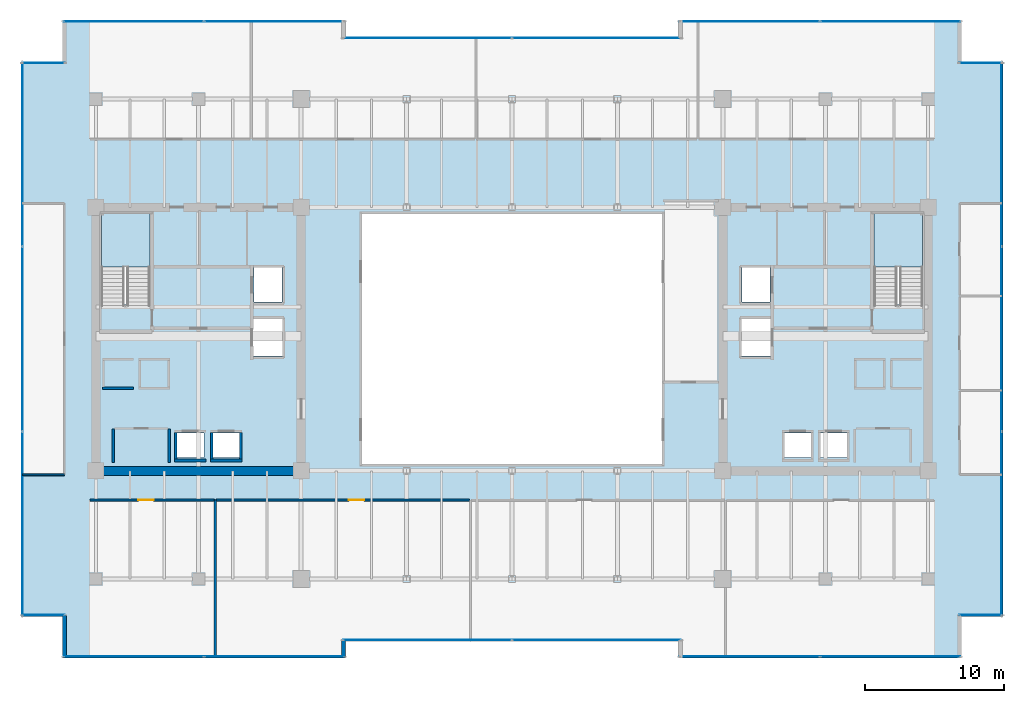
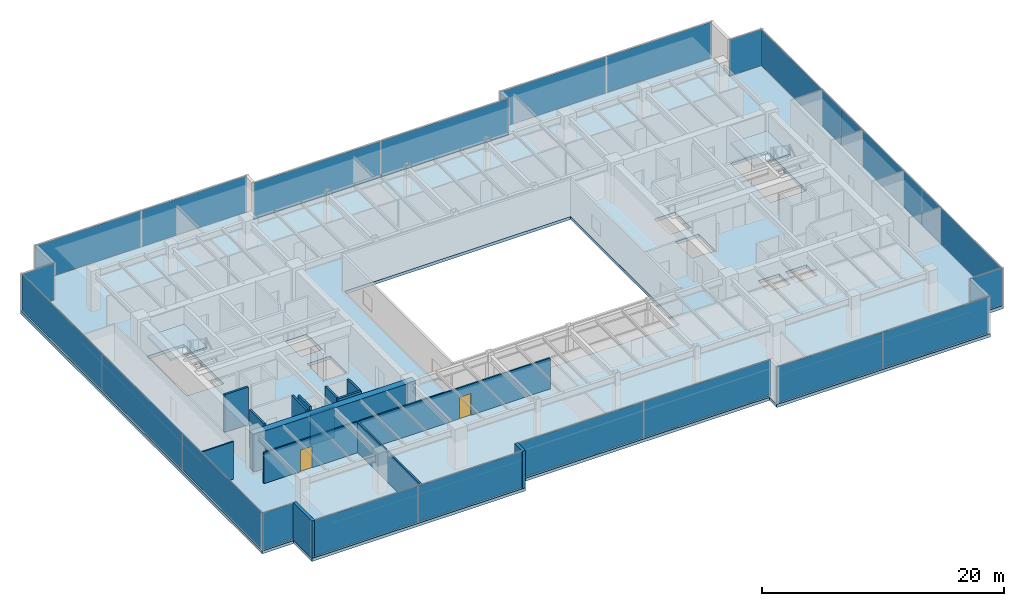
# One storey, part 24 of 33: 22 plates, 15 walls, 3 slabs, 2 doors, 2 openings, 14 elements without a shape of their own.
"""IFC4 building model written with IfcOpenShell, lengths in metres."""

from ifc_helpers import new_model, si_unit, direction, frame, frame_2d, origin, origin_2d, place, context, subcontext, project, spatial, polyline, rectangle, outline, extrude, source, transform, mapped, material, layer, layer_set, type_object, type_shapes, element, fill, aggregate, save


model = new_model("IFC4")

# Units and contexts
model_context = context("Model", 3, precision=1e-05, world=origin(), true_north=direction((0.0, 1.0)))
body_context = subcontext(model_context, "Body", "Model", "MODEL_VIEW")
ifc_project = project(units=[si_unit("LENGTHUNIT", "METRE"), si_unit("AREAUNIT", "SQUARE_METRE"), si_unit("VOLUMEUNIT", "CUBIC_METRE"), si_unit("PLANEANGLEUNIT", "RADIAN"), si_unit("MASSUNIT", "GRAM", prefix="KILO")], contexts=[model_context])

# Site, building, storey
site_placement = place(None, origin())
site = spatial("IfcSite", under=ifc_project, at=site_placement, CompositionType="ELEMENT")
building_placement = place(site_placement, origin())
building = spatial("IfcBuilding", under=site, at=building_placement, Name="Haelvirn Gate Laboratories", CompositionType="ELEMENT")
storey_placement = place(building_placement, frame((0.0, 0.0, 117.39990234375)))
storey = spatial("IfcBuildingStorey", under=building, at=storey_placement, Name="L28", CompositionType="ELEMENT", Elevation=117.39990234375)

# Stair, slab
ifc_material_1 = material(Name="Concrete C40/50", Category="concrete")
stair_type = type_object("IfcStairType", Name="ST-DOG-1650-R22", PredefinedType="HALF_TURN_STAIR", material=ifc_material_1)
stair_1_placement = place(storey_placement, origin())
stair_1 = element("IfcStair", 1, at=stair_1_placement, inside=storey, type_object=stair_type, Name="L28 Escape Stair ST1", PredefinedType="HALF_TURN_STAIR")
ifc_layer_1 = layer(ifc_material_1, 0.199951171875, Name="SL-STAIR-LND")
ifc_layer_set_1 = layer_set([ifc_layer_1], Name="Concrete C40/50")
slab_type_1 = type_object("IfcSlabType", Name="SL-STAIR-LND", PredefinedType="LANDING", material=ifc_layer_set_1)
slab_1_placement = place(storey_placement, frame((0.0, 0.0, 1.85009765625)))
slab_1 = element("IfcSlab", 2, at=slab_1_placement, type_object=slab_type_1, Name="ST1 landing 1", PredefinedType="LANDING", context=body_context, shape_type="SweptSolid", body=[
    extrude(outline(polyline([(11.300048828125, 29.5), (11.300048828125, 33.35009765625), (7.800048828125, 33.35009765625), (7.800048828125, 29.5), (11.300048828125, 29.5)])), origin(), (0.0, 0.0, 1.0), 0.199951171875),
])
aggregate(stair_1, [slab_1])

stair_2_placement = place(storey_placement, origin())
stair_2 = element("IfcStair", 3, at=stair_2_placement, inside=storey, type_object=stair_type, Name="L28 Escape Stair ST2", PredefinedType="HALF_TURN_STAIR")
slab_2_placement = place(storey_placement, frame((0.0, 0.0, 1.85009765625)))
slab_2 = element("IfcSlab", 4, at=slab_2_placement, type_object=slab_type_1, Name="ST2 landing 1", PredefinedType="LANDING", context=body_context, shape_type="SweptSolid", body=[
    extrude(outline(polyline([(67.0, 29.5), (67.0, 33.35009765625), (63.5, 33.35009765625), (63.5, 29.5), (67.0, 29.5)])), origin(), (0.0, 0.0, 1.0), 0.199951171875),
])
aggregate(stair_2, [slab_2])

# Slab
ifc_layer_2 = layer(ifc_material_1, 0.31005859375, Name="SL-Z2-310")
ifc_layer_set_2 = layer_set([ifc_layer_2], Name="Concrete C40/50")
slab_type_2 = type_object("IfcSlabType", Name="SL-Z2-310", PredefinedType="FLOOR", material=ifc_layer_set_2)
slab_3_placement = place(storey_placement, frame((0.0, 0.0, -0.309814453125)))
element("IfcSlab", 5, at=slab_3_placement, inside=storey, type_object=slab_type_2, Name="L28 Structural Slab MAIN", PredefinedType="FLOOR", context=body_context, shape_type="SweptSolid", body=[
    extrude(outline(polyline([(5.0, 1.300048828125), (25.39990234375, 1.300048828125), (25.39990234375, 2.5), (49.39990234375, 2.5), (49.39990234375, 1.300048828125), (69.800048828125, 1.300048828125), (69.800048828125, 4.300048828125), (72.800048828125, 4.300048828125), (72.800048828125, 44.300048828125), (69.800048828125, 44.300048828125), (69.800048828125, 47.300048828125), (49.39990234375, 47.300048828125), (49.39990234375, 46.10009765625), (25.39990234375, 46.10009765625), (25.39990234375, 47.300048828125), (5.0, 47.300048828125), (5.0, 44.300048828125), (2.0, 44.300048828125), (2.0, 4.300048828125), (5.0, 4.300048828125), (5.0, 1.300048828125)]), holes=[polyline([(26.60009765625, 15.300048828125), (48.199951171875, 15.300048828125), (48.199951171875, 33.300048828125), (26.60009765625, 33.300048828125), (26.60009765625, 15.300048828125)]), polyline([(11.300048828125, 26.780029296875), (11.300048828125, 33.35009765625), (7.800048828125, 33.35009765625), (7.800048828125, 26.780029296875), (11.300048828125, 26.780029296875)]), polyline([(67.0, 26.780029296875), (67.0, 33.35009765625), (63.5, 33.35009765625), (63.5, 26.780029296875), (67.0, 26.780029296875)]), polyline([(13.18994140625, 15.77001953125), (15.2099609375, 15.77001953125), (15.2099609375, 17.510009765625), (13.18994140625, 17.510009765625), (13.18994140625, 15.77001953125)]), polyline([(15.7900390625, 15.77001953125), (17.81005859375, 15.77001953125), (17.81005859375, 17.510009765625), (15.7900390625, 17.510009765625), (15.7900390625, 15.77001953125)]), polyline([(18.7900390625, 26.969970703125), (20.81005859375, 26.969970703125), (20.81005859375, 29.510009765625), (18.7900390625, 29.510009765625), (18.7900390625, 26.969970703125)]), polyline([(18.68994140625, 23.070068359375), (20.909912109375, 23.070068359375), (20.909912109375, 25.81005859375), (18.68994140625, 25.81005859375), (18.68994140625, 23.070068359375)]), polyline([(59.590087890625, 15.77001953125), (61.610107421875, 15.77001953125), (61.610107421875, 17.510009765625), (59.590087890625, 17.510009765625), (59.590087890625, 15.77001953125)]), polyline([(56.989990234375, 15.77001953125), (59.010009765625, 15.77001953125), (59.010009765625, 17.510009765625), (56.989990234375, 17.510009765625), (56.989990234375, 15.77001953125)]), polyline([(53.989990234375, 26.969970703125), (56.010009765625, 26.969970703125), (56.010009765625, 29.510009765625), (53.989990234375, 29.510009765625), (53.989990234375, 26.969970703125)]), polyline([(53.889892578125, 23.070068359375), (56.110107421875, 23.070068359375), (56.110107421875, 25.81005859375), (53.889892578125, 25.81005859375), (53.889892578125, 23.070068359375)])]), origin(), (0.0, 0.0, 1.0), 0.309814453125),
])

# Curtain wall, plates
ifc_material_2 = material(Name="Anodised bronze unitised aluminium & triple low-E glass", Category="aluminium")
ifc_layer_3 = layer(ifc_material_2, 0.179931640625, Name="CW-SYS-3")
ifc_layer_set_3 = layer_set([ifc_layer_3], Name="Anodised bronze unitised aluminium & triple low-E glass")
curtain_wall_type_1 = type_object("IfcCurtainWallType", Name="CW-SYS-3", PredefinedType="NOTDEFINED", material=ifc_layer_set_3)
curtain_wall_1_placement = place(storey_placement, origin())
curtain_wall_1 = element("IfcCurtainWall", 6, at=curtain_wall_1_placement, inside=storey, type_object=curtain_wall_type_1, Name="L28 Unitised Curtain Wall CW-L28-P0-E00-1", PredefinedType="NOTDEFINED")
ifc_material_3 = material(Name="High-selectivity bronze triple IGU 40 mm", Category="glass")
ifc_layer_4 = layer(ifc_material_3, 0.0400390625, Name="CWP-IGU-40")
ifc_layer_set_4 = layer_set([ifc_layer_4], Name="High-selectivity bronze triple IGU 40 mm")
plate_type_1 = type_object("IfcPlateType", Name="CWP-IGU-40", PredefinedType="CURTAIN_PANEL", material=ifc_layer_set_4)
shared_shape_1 = source(origin(), body_context, "Body", "SweptSolid", [
    extrude(rectangle(XDim=10.08740234375, YDim=0.0400390625, at=origin_2d()), origin(), (0.0, 0.0, 1.0), 3.659912109375),
])
plate_1_placement = place(storey_placement, frame((10.11865234375, 1.39990234375, 0.06494140625), z_axis=(0.0, 0.0, 1.0), x_axis=(1.0, 0.0, 0.0)))
plate_1 = element("IfcPlate", 7, at=plate_1_placement, type_object=plate_type_1, Name="CW3 panel 1.1", PredefinedType="CURTAIN_PANEL", context=body_context, shape_type="MappedRepresentation", body=[
    mapped(shared_shape_1, transform((0.0, 0.0, 0.0), scale=1.0)),
])
plate_2_placement = place(storey_placement, frame((20.28125, 1.39990234375, 0.06494140625), z_axis=(0.0, 0.0, 1.0), x_axis=(1.0, 0.0, 0.0)))
plate_2 = element("IfcPlate", 8, at=plate_2_placement, type_object=plate_type_1, Name="CW3 panel 2.1", PredefinedType="CURTAIN_PANEL", context=body_context, shape_type="MappedRepresentation", body=[
    mapped(shared_shape_1, transform((0.0, 0.0, 0.0), scale=1.0)),
])
aggregate(curtain_wall_1, [plate_1, plate_2])

curtain_wall_2_placement = place(storey_placement, origin())
curtain_wall_2 = element("IfcCurtainWall", 9, at=curtain_wall_2_placement, inside=storey, type_object=curtain_wall_type_1, Name="L28 Unitised Curtain Wall CW-L28-P0-E04-1", PredefinedType="NOTDEFINED")
plate_3_placement = place(storey_placement, frame((54.518798828125, 1.39990234375, 0.06494140625), z_axis=(0.0, 0.0, 1.0), x_axis=(1.0, 0.0, 0.0)))
plate_3 = element("IfcPlate", 10, at=plate_3_placement, type_object=plate_type_1, Name="CW3 panel 1.1", PredefinedType="CURTAIN_PANEL", context=body_context, shape_type="MappedRepresentation", body=[
    mapped(shared_shape_1, transform((0.0, 0.0, 0.0), scale=1.0)),
])
plate_4_placement = place(storey_placement, frame((64.68115234375, 1.39990234375, 0.06494140625), z_axis=(0.0, 0.0, 1.0), x_axis=(1.0, 0.0, 0.0)))
plate_4 = element("IfcPlate", 11, at=plate_4_placement, type_object=plate_type_1, Name="CW3 panel 2.1", PredefinedType="CURTAIN_PANEL", context=body_context, shape_type="MappedRepresentation", body=[
    mapped(shared_shape_1, transform((0.0, 0.0, 0.0), scale=1.0)),
])
aggregate(curtain_wall_2, [plate_3, plate_4])

curtain_wall_3_placement = place(storey_placement, origin())
curtain_wall_3 = element("IfcCurtainWall", 12, at=curtain_wall_3_placement, inside=storey, type_object=curtain_wall_type_1, Name="L28 Unitised Curtain Wall CW-L28-P0-E10-1", PredefinedType="NOTDEFINED")
plate_5_placement = place(storey_placement, frame((54.518798828125, 47.199951171875, 0.06494140625), z_axis=(0.0, 0.0, 1.0), x_axis=(1.0, 0.0, 0.0)))
plate_5 = element("IfcPlate", 13, at=plate_5_placement, type_object=plate_type_1, Name="CW3 panel 1.1", PredefinedType="CURTAIN_PANEL", context=body_context, shape_type="MappedRepresentation", body=[
    mapped(shared_shape_1, transform((0.0, 0.0, 0.0), scale=1.0)),
])
plate_6_placement = place(storey_placement, frame((64.68115234375, 47.199951171875, 0.06494140625), z_axis=(0.0, 0.0, 1.0), x_axis=(1.0, 0.0, 0.0)))
plate_6 = element("IfcPlate", 14, at=plate_6_placement, type_object=plate_type_1, Name="CW3 panel 2.1", PredefinedType="CURTAIN_PANEL", context=body_context, shape_type="MappedRepresentation", body=[
    mapped(shared_shape_1, transform((0.0, 0.0, 0.0), scale=1.0)),
])
aggregate(curtain_wall_3, [plate_5, plate_6])

curtain_wall_4_placement = place(storey_placement, origin())
curtain_wall_4 = element("IfcCurtainWall", 15, at=curtain_wall_4_placement, inside=storey, type_object=curtain_wall_type_1, Name="L28 Unitised Curtain Wall CW-L28-P0-E14-1", PredefinedType="NOTDEFINED")
plate_7_placement = place(storey_placement, frame((10.11865234375, 47.199951171875, 0.06494140625), z_axis=(0.0, 0.0, 1.0), x_axis=(1.0, 0.0, 0.0)))
plate_7 = element("IfcPlate", 16, at=plate_7_placement, type_object=plate_type_1, Name="CW3 panel 1.1", PredefinedType="CURTAIN_PANEL", context=body_context, shape_type="MappedRepresentation", body=[
    mapped(shared_shape_1, transform((0.0, 0.0, 0.0), scale=1.0)),
])
plate_8_placement = place(storey_placement, frame((20.28125, 47.199951171875, 0.06494140625), z_axis=(0.0, 0.0, 1.0), x_axis=(1.0, 0.0, 0.0)))
plate_8 = element("IfcPlate", 17, at=plate_8_placement, type_object=plate_type_1, Name="CW3 panel 2.1", PredefinedType="CURTAIN_PANEL", context=body_context, shape_type="MappedRepresentation", body=[
    mapped(shared_shape_1, transform((0.0, 0.0, 0.0), scale=1.0)),
])
aggregate(curtain_wall_4, [plate_7, plate_8])

curtain_wall_5_placement = place(storey_placement, origin())
curtain_wall_5 = element("IfcCurtainWall", 18, at=curtain_wall_5_placement, inside=storey, type_object=curtain_wall_type_1, Name="L28 Unitised Curtain Wall CW-L28-P0-E02-1", PredefinedType="NOTDEFINED")
shared_shape_2 = source(origin(), body_context, "Body", "SweptSolid", [
    extrude(rectangle(XDim=12.12744140625, YDim=0.0400390625, at=origin_2d()), origin(), (0.0, 0.0, 1.0), 3.659912109375),
])
plate_9_placement = place(storey_placement, frame((31.298828125, 2.60009765625, 0.06494140625), z_axis=(0.0, 0.0, 1.0), x_axis=(1.0, 0.0, 0.0)))
plate_9 = element("IfcPlate", 19, at=plate_9_placement, type_object=plate_type_1, Name="CW3 panel 1.1", PredefinedType="CURTAIN_PANEL", context=body_context, shape_type="MappedRepresentation", body=[
    mapped(shared_shape_2, transform((0.0, 0.0, 0.0), scale=1.0)),
])
plate_10_placement = place(storey_placement, frame((43.501220703125, 2.60009765625, 0.06494140625), z_axis=(0.0, 0.0, 1.0), x_axis=(1.0, 0.0, 0.0)))
plate_10 = element("IfcPlate", 20, at=plate_10_placement, type_object=plate_type_1, Name="CW3 panel 2.1", PredefinedType="CURTAIN_PANEL", context=body_context, shape_type="MappedRepresentation", body=[
    mapped(shared_shape_2, transform((0.0, 0.0, 0.0), scale=1.0)),
])
aggregate(curtain_wall_5, [plate_9, plate_10])

curtain_wall_6_placement = place(storey_placement, origin())
curtain_wall_6 = element("IfcCurtainWall", 21, at=curtain_wall_6_placement, inside=storey, type_object=curtain_wall_type_1, Name="L28 Unitised Curtain Wall CW-L28-P0-E12-1", PredefinedType="NOTDEFINED")
plate_11_placement = place(storey_placement, frame((31.298828125, 46.0, 0.06494140625), z_axis=(0.0, 0.0, 1.0), x_axis=(1.0, 0.0, 0.0)))
plate_11 = element("IfcPlate", 22, at=plate_11_placement, type_object=plate_type_1, Name="CW3 panel 1.1", PredefinedType="CURTAIN_PANEL", context=body_context, shape_type="MappedRepresentation", body=[
    mapped(shared_shape_2, transform((0.0, 0.0, 0.0), scale=1.0)),
])
plate_12_placement = place(storey_placement, frame((43.501220703125, 46.0, 0.06494140625), z_axis=(0.0, 0.0, 1.0), x_axis=(1.0, 0.0, 0.0)))
plate_12 = element("IfcPlate", 23, at=plate_12_placement, type_object=plate_type_1, Name="CW3 panel 2.1", PredefinedType="CURTAIN_PANEL", context=body_context, shape_type="MappedRepresentation", body=[
    mapped(shared_shape_2, transform((0.0, 0.0, 0.0), scale=1.0)),
])
aggregate(curtain_wall_6, [plate_11, plate_12])

# Curtain wall, plate
ifc_layer_5 = layer(ifc_material_2, 0.181884765625, Name="CW-SYS-5")
ifc_layer_set_5 = layer_set([ifc_layer_5], Name="Anodised bronze unitised aluminium & triple low-E glass")
curtain_wall_type_2 = type_object("IfcCurtainWallType", Name="CW-SYS-5", PredefinedType="NOTDEFINED", material=ifc_layer_set_5)
curtain_wall_7_placement = place(storey_placement, origin())
curtain_wall_7 = element("IfcCurtainWall", 24, at=curtain_wall_7_placement, inside=storey, type_object=curtain_wall_type_2, Name="L28 Unitised Curtain Wall CW-L28-P0-E06-1", PredefinedType="NOTDEFINED")
ifc_material_4 = material(Name="Clear low-iron notched-corner triple IGU 42 mm", Category="glass")
ifc_layer_6 = layer(ifc_material_4, 0.0419921875, Name="CWP-NTC-42")
ifc_layer_set_6 = layer_set([ifc_layer_6], Name="Clear low-iron notched-corner triple IGU 42 mm")
plate_type_2 = type_object("IfcPlateType", Name="CWP-NTC-42", PredefinedType="CURTAIN_PANEL", material=ifc_layer_set_6)
shared_shape_3 = source(origin(), body_context, "Body", "SweptSolid", [
    extrude(rectangle(XDim=3.080078125, YDim=0.0419921875, at=origin_2d()), origin(), (0.0, 0.0, 1.0), 3.659912109375),
])
type_shapes(plate_type_2, [shared_shape_3])
plate_13_placement = place(storey_placement, frame((71.179931640625, 4.39990234375, 0.06494140625), z_axis=(0.0, 0.0, 1.0), x_axis=(1.0, 0.0, 0.0)))
plate_13 = element("IfcPlate", 25, at=plate_13_placement, type_object=plate_type_2, Name="CW5 panel 1.1", PredefinedType="CURTAIN_PANEL", context=body_context, shape_type="MappedRepresentation", body=[
    mapped(shared_shape_3, transform((0.0, 0.0, 0.0), scale=1.0)),
])
aggregate(curtain_wall_7, [plate_13])

curtain_wall_8_placement = place(storey_placement, origin())
curtain_wall_8 = element("IfcCurtainWall", 26, at=curtain_wall_8_placement, inside=storey, type_object=curtain_wall_type_2, Name="L28 Unitised Curtain Wall CW-L28-P0-E08-1", PredefinedType="NOTDEFINED")
plate_14_placement = place(storey_placement, frame((71.179931640625, 44.199951171875, 0.06494140625), z_axis=(0.0, 0.0, 1.0), x_axis=(1.0, 0.0, 0.0)))
plate_14 = element("IfcPlate", 27, at=plate_14_placement, type_object=plate_type_2, Name="CW5 panel 1.1", PredefinedType="CURTAIN_PANEL", context=body_context, shape_type="MappedRepresentation", body=[
    mapped(shared_shape_3, transform((0.0, 0.0, 0.0), scale=1.0)),
])
aggregate(curtain_wall_8, [plate_14])

curtain_wall_9_placement = place(storey_placement, origin())
curtain_wall_9 = element("IfcCurtainWall", 28, at=curtain_wall_9_placement, inside=storey, type_object=curtain_wall_type_2, Name="L28 Unitised Curtain Wall CW-L28-P0-E16-1", PredefinedType="NOTDEFINED")
plate_15_placement = place(storey_placement, frame((3.6201171875, 44.199951171875, 0.06494140625), z_axis=(0.0, 0.0, 1.0), x_axis=(1.0, 0.0, 0.0)))
plate_15 = element("IfcPlate", 29, at=plate_15_placement, type_object=plate_type_2, Name="CW5 panel 1.1", PredefinedType="CURTAIN_PANEL", context=body_context, shape_type="MappedRepresentation", body=[
    mapped(shared_shape_3, transform((0.0, 0.0, 0.0), scale=1.0)),
])
aggregate(curtain_wall_9, [plate_15])

curtain_wall_10_placement = place(storey_placement, origin())
curtain_wall_10 = element("IfcCurtainWall", 30, at=curtain_wall_10_placement, inside=storey, type_object=curtain_wall_type_2, Name="L28 Unitised Curtain Wall CW-L28-P0-E18-1", PredefinedType="NOTDEFINED")
plate_16_placement = place(storey_placement, frame((3.6201171875, 4.39990234375, 0.06494140625), z_axis=(0.0, 0.0, 1.0), x_axis=(1.0, 0.0, 0.0)))
plate_16 = element("IfcPlate", 31, at=plate_16_placement, type_object=plate_type_2, Name="CW5 panel 1.1", PredefinedType="CURTAIN_PANEL", context=body_context, shape_type="MappedRepresentation", body=[
    mapped(shared_shape_3, transform((0.0, 0.0, 0.0), scale=1.0)),
])
aggregate(curtain_wall_10, [plate_16])

# Curtain wall, plates
curtain_wall_11_placement = place(storey_placement, origin())
curtain_wall_11 = element("IfcCurtainWall", 32, at=curtain_wall_11_placement, inside=storey, type_object=curtain_wall_type_1, Name="L28 Unitised Curtain Wall CW-L28-P0-E07", PredefinedType="NOTDEFINED")
shared_shape_4 = source(origin(), body_context, "Body", "SweptSolid", [
    extrude(rectangle(XDim=13.220947265625, YDim=0.0400390625, at=origin_2d()), origin(), (0.0, 0.0, 1.0), 3.659912109375),
])
plate_17_placement = place(storey_placement, frame((72.699951171875, 10.9853515625, 0.06494140625), z_axis=(0.0, 0.0, 1.0), x_axis=(0.0, 1.0, 0.0)))
plate_17 = element("IfcPlate", 33, at=plate_17_placement, type_object=plate_type_1, Name="CW3 panel 1.1", PredefinedType="CURTAIN_PANEL", context=body_context, shape_type="MappedRepresentation", body=[
    mapped(shared_shape_4, transform((0.0, 0.0, 0.0), scale=1.0)),
])
plate_18_placement = place(storey_placement, frame((72.699951171875, 37.614501953125, 0.06494140625), z_axis=(0.0, 0.0, 1.0), x_axis=(0.0, 1.0, 0.0)))
plate_18 = element("IfcPlate", 34, at=plate_18_placement, type_object=plate_type_1, Name="CW3 panel 3.1", PredefinedType="CURTAIN_PANEL", context=body_context, shape_type="MappedRepresentation", body=[
    mapped(shared_shape_4, transform((0.0, 0.0, 0.0), scale=1.0)),
])

curtain_wall_12_placement = place(storey_placement, origin())
curtain_wall_12 = element("IfcCurtainWall", 35, at=curtain_wall_12_placement, inside=storey, type_object=curtain_wall_type_1, Name="L28 Unitised Curtain Wall CW-L28-P0-E17", PredefinedType="NOTDEFINED")
plate_19_placement = place(storey_placement, frame((2.10009765625, 37.614501953125, 0.06494140625), z_axis=(0.0, 0.0, 1.0), x_axis=(0.0, -1.0, 0.0)))
plate_19 = element("IfcPlate", 36, at=plate_19_placement, type_object=plate_type_1, Name="CW3 panel 1.1", PredefinedType="CURTAIN_PANEL", context=body_context, shape_type="MappedRepresentation", body=[
    mapped(shared_shape_4, transform((0.0, 0.0, 0.0), scale=1.0)),
])
plate_20_placement = place(storey_placement, frame((2.10009765625, 10.9853515625, 0.06494140625), z_axis=(0.0, 0.0, 1.0), x_axis=(0.0, -1.0, 0.0)))
plate_20 = element("IfcPlate", 37, at=plate_20_placement, type_object=plate_type_1, Name="CW3 panel 3.1", PredefinedType="CURTAIN_PANEL", context=body_context, shape_type="MappedRepresentation", body=[
    mapped(shared_shape_4, transform((0.0, 0.0, 0.0), scale=1.0)),
])

# Plate
shared_shape_5 = source(origin(), body_context, "Body", "SweptSolid", [
    extrude(rectangle(XDim=13.25830078125, YDim=0.0400390625, at=origin_2d()), origin(), (0.0, 0.0, 1.0), 3.659912109375),
])
type_shapes(plate_type_1, [shared_shape_1, shared_shape_2, shared_shape_4, shared_shape_5])
plate_21_placement = place(storey_placement, frame((72.699951171875, 24.300048828125, 0.06494140625), z_axis=(0.0, 0.0, 1.0), x_axis=(0.0, 1.0, 0.0)))
plate_21 = element("IfcPlate", 38, at=plate_21_placement, type_object=plate_type_1, Name="CW3 panel 2.1", PredefinedType="CURTAIN_PANEL", context=body_context, shape_type="MappedRepresentation", body=[
    mapped(shared_shape_5, transform((0.0, 0.0, 0.0), scale=1.0)),
])

aggregate(curtain_wall_11, [plate_17, plate_21, plate_18])

plate_22_placement = place(storey_placement, frame((2.10009765625, 24.300048828125, 0.06494140625), z_axis=(0.0, 0.0, 1.0), x_axis=(0.0, -1.0, 0.0)))
plate_22 = element("IfcPlate", 39, at=plate_22_placement, type_object=plate_type_1, Name="CW3 panel 2.1", PredefinedType="CURTAIN_PANEL", context=body_context, shape_type="MappedRepresentation", body=[
    mapped(shared_shape_5, transform((0.0, 0.0, 0.0), scale=1.0)),
])

aggregate(curtain_wall_12, [plate_19, plate_22, plate_20])

# Walls
ifc_material_5 = material(Name="Thermally-broken bronze aluminium rainscreen & mineral wool", Category="aluminium")
ifc_layer_7 = layer(ifc_material_5, 0.280029296875, Name="EW-TERR-280")
ifc_layer_set_7 = layer_set([ifc_layer_7], Name="Thermally-broken bronze aluminium rainscreen & mineral wool")
wall_type_1 = type_object("IfcWallType", Name="EW-TERR-280", PredefinedType="STANDARD", material=ifc_layer_set_7)
wall_1_placement = place(storey_placement, frame((25.260009765625, 1.300048828125, 0.0), z_axis=(0.0, 0.0, 1.0), x_axis=(0.0, 1.0, 0.0)))
element("IfcWall", 40, at=wall_1_placement, inside=storey, type_object=wall_type_1, Name="L28 Atrium Recess Bronze Return Wall 01", PredefinedType="STANDARD", context=body_context, shape_type="SweptSolid", body=[
    extrude(rectangle(XDim=1.287841796875, YDim=0.280029296875, at=frame_2d((0.64404296875, 0.0))), origin(), (0.0, 0.0, 1.0), 3.7900390625),
])
wall_2_placement = place(storey_placement, frame((5.139892578125, 4.387939453125, 0.0), z_axis=(0.0, 0.0, 1.0), x_axis=(0.0, -1.0, 0.0)))
element("IfcWall", 41, at=wall_2_placement, inside=storey, type_object=wall_type_1, Name="L28 Atrium Recess Bronze Return Wall 19", PredefinedType="STANDARD", context=body_context, shape_type="SweptSolid", body=[
    extrude(rectangle(XDim=3.087890625, YDim=0.280029296875, at=frame_2d((1.5439453125, 0.0))), origin(), (0.0, 0.0, 1.0), 3.7900390625),
])
ifc_material_6 = material(Name="Double-layer acoustic gypsum laboratory partition", Category="gypsum")
ifc_layer_8 = layer(ifc_material_6, 0.159912109375, Name="IW-ACOUST-160")
ifc_layer_set_8 = layer_set([ifc_layer_8], Name="Double-layer acoustic gypsum laboratory partition")
wall_type_2 = type_object("IfcWallType", Name="IW-ACOUST-160", PredefinedType="PARTITIONING", material=ifc_layer_set_8)
wall_3_placement = place(storey_placement, frame((16.0, 1.409912109375, 0.0), z_axis=(0.0, 0.0, 1.0), x_axis=(0.0, 1.0, 0.0)))
element("IfcWall", 42, at=wall_3_placement, inside=storey, type_object=wall_type_2, Name="L28 Interior Wall IW-L28-SDIV-01", PredefinedType="PARTITIONING", context=body_context, shape_type="SweptSolid", body=[
    extrude(rectangle(XDim=11.280029296875, YDim=0.159912109375, at=frame_2d((5.64013671875, 0.0))), origin(), (0.0, 0.0, 1.0), 3.0751953125),
])
ifc_material_7 = material(Name="Lightweight acoustic gypsum board partition", Category="gypsum")
ifc_layer_9 = layer(ifc_material_7, 0.1201171875, Name="IW-PART-120")
ifc_layer_set_9 = layer_set([ifc_layer_9], Name="Lightweight acoustic gypsum board partition")
wall_type_3 = type_object("IfcWallType", Name="IW-PART-120", PredefinedType="PARTITIONING", material=ifc_layer_set_9)
wall_4_placement = place(storey_placement, frame((2.110107421875, 14.514892578125, 0.0), z_axis=(0.0, 0.0, 1.0), x_axis=(1.0, 0.0, 0.0)))
element("IfcWall", 43, at=wall_4_placement, inside=storey, type_object=wall_type_3, Name="L28 Interior Wall IW-L28-WCAP-S", PredefinedType="PARTITIONING", context=body_context, shape_type="SweptSolid", body=[
    extrude(rectangle(XDim=3.019775390625, YDim=0.1201171875, at=frame_2d((1.509765625, 0.0))), origin(), (0.0, 0.0, 1.0), 3.7900390625),
])

# Wall, opening, door
ifc_material_8 = material(Name="Acoustic mineral-wool gypsum board partition", Category="gypsum")
ifc_layer_10 = layer(ifc_material_8, 0.139892578125, Name="IW-PART-140")
ifc_layer_set_10 = layer_set([ifc_layer_10], Name="Acoustic mineral-wool gypsum board partition")
wall_type_4 = type_object("IfcWallType", Name="IW-PART-140", PredefinedType="PARTITIONING", material=ifc_layer_set_10)
wall_5_placement = place(storey_placement, frame((6.97998046875, 12.68994140625, 0.0), z_axis=(0.0, 0.0, 1.0), x_axis=(1.0, 0.0, 0.0)))
wall_5 = element("IfcWall", 44, at=wall_5_placement, inside=storey, type_object=wall_type_4, Name="L28 Interior Wall IW-L28-SCORR-01", PredefinedType="PARTITIONING", context=body_context, shape_type="SweptSolid", body=[
    extrude(rectangle(XDim=8.93994140625, YDim=0.139892578125, at=frame_2d((4.469970703125, 0.0))), origin(), (0.0, 0.0, 1.0), 3.125),
])
opening_1_placement = place(wall_5_placement, frame((3.49169921875, 0.0, 0.0)))
opening_1 = element("IfcOpeningElement", 45, at=opening_1_placement, cuts=wall_5, Name="Opening D1", PredefinedType="OPENING", context=body_context, shape_type="SweptSolid", body=[
    extrude(rectangle(XDim=1.10009765625, YDim=2.179931640625, at=frame_2d((0.550048828125, 1.08984375))), frame((0.0, 0.080078125, 0.0), z_axis=(0.0, -1.0, 0.0), x_axis=(1.0, 0.0, 0.0)), (0.0, 0.0, 1.0), 0.159912109375),
])
ifc_material_9 = material(Name="Vision-panel acoustic solid-core timber lab door", Category="wood")
door_type = type_object("IfcDoorType", Name="DR-LAB-1100", OperationType="NOTDEFINED", PredefinedType="DOOR", material=ifc_material_9)
shared_shape_6 = source(origin(), body_context, "Body", "SweptSolid", [
    extrude(rectangle(XDim=1.10009765625, YDim=2.179931640625, at=frame_2d((0.550048828125, 1.08984375))), frame((0.0, 0.02490234375, 0.0), z_axis=(0.0, -1.0, 0.0), x_axis=(1.0, 0.0, 0.0)), (0.0, 0.0, 1.0), 0.050048828125),
])
type_shapes(door_type, [shared_shape_6])
door_1_placement = place(opening_1_placement, origin())
door_1 = element("IfcDoor", 46, at=door_1_placement, inside=storey, type_object=door_type, Name="L28 Translational Data Office Door S1", OperationType="SINGLE_SWING_LEFT", OverallHeight=2.179931640625, OverallWidth=1.10009765625, PredefinedType="DOOR", context=body_context, shape_type="MappedRepresentation", body=[
    mapped(shared_shape_6, transform((0.0, 0.0, 0.0), scale=1.0)),
])
fill(opening_1, door_1)

wall_6_placement = place(storey_placement, frame((16.080078125, 12.68994140625, 0.0), z_axis=(0.0, 0.0, 1.0), x_axis=(1.0, 0.0, 0.0)))
wall_6 = element("IfcWall", 47, at=wall_6_placement, inside=storey, type_object=wall_type_4, Name="L28 Interior Wall IW-L28-SCORR-02", PredefinedType="PARTITIONING", context=body_context, shape_type="SweptSolid", body=[
    extrude(rectangle(XDim=18.239990234375, YDim=0.139892578125, at=frame_2d((9.1201171875, 0.0))), origin(), (0.0, 0.0, 1.0), 3.125),
])
opening_2_placement = place(wall_6_placement, frame((9.556396484375, 0.0, 0.0)))
opening_2 = element("IfcOpeningElement", 48, at=opening_2_placement, cuts=wall_6, Name="Opening D1", PredefinedType="OPENING", context=body_context, shape_type="SweptSolid", body=[
    extrude(rectangle(XDim=1.10009765625, YDim=2.179931640625, at=frame_2d((0.550048828125, 1.08984375))), frame((0.0, 0.080078125, 0.0), z_axis=(0.0, -1.0, 0.0), x_axis=(1.0, 0.0, 0.0)), (0.0, 0.0, 1.0), 0.159912109375),
])
door_2_placement = place(opening_2_placement, origin())
door_2 = element("IfcDoor", 49, at=door_2_placement, inside=storey, type_object=door_type, Name="L28 Computational Write-Up Office Door S2", OperationType="SINGLE_SWING_RIGHT", OverallHeight=2.179931640625, OverallWidth=1.10009765625, PredefinedType="DOOR", context=body_context, shape_type="MappedRepresentation", body=[
    mapped(shared_shape_6, transform((0.0, 0.0, 0.0), scale=1.0)),
])
fill(opening_2, door_2)

# Walls
ifc_layer_11 = layer(ifc_material_1, 0.179931640625, Name="IW-SHAFT-180")
ifc_layer_set_11 = layer_set([ifc_layer_11], Name="Concrete C40/50")
wall_type_5 = type_object("IfcWallType", Name="IW-SHAFT-180", PredefinedType="SOLIDWALL", material=ifc_layer_set_11)
for number, where, z_axis, x_axis, name in (
    (50, (13.14990234375, 15.64990234375, 0.0), (0.0, 0.0, 1.0), (0.0, 1.0, 0.0), "L28 Interior Wall IW-L28-PL5-SD"),
    (51, (15.75, 15.64990234375, 0.0), (0.0, 0.0, 1.0), (0.0, 1.0, 0.0), "L28 Interior Wall IW-L28-PL6-SD"),
    (52, (17.85009765625, 15.64990234375, 0.0), (0.0, 0.0, 1.0), (0.0, 1.0, 0.0), "L28 Interior Wall IW-L28-PL6-SDE"),
):
    element("IfcWall", number, at=place(storey_placement, frame(where, z_axis=z_axis, x_axis=x_axis)), inside=storey, type_object=wall_type_5, Name=name, PredefinedType="SOLIDWALL", context=body_context, shape_type="SweptSolid", body=[
        extrude(rectangle(XDim=1.900146484375, YDim=0.179931640625, at=frame_2d((0.9501953125, 0.0))), origin(), (0.0, 0.0, 1.0), 3.7900390625),
    ])
for number, where, z_axis, x_axis, name in (
    (53, (12.68994140625, 15.39990234375, 0.0), (0.0, 0.0, 1.0), (0.0, 1.0, 0.0), "L28 Interior Wall IW-L28-W-FREED-LE-1"),
    (54, (8.659912109375, 15.39990234375, 0.0), (0.0, 0.0, 1.0), (0.0, 1.0, 0.0), "L28 Interior Wall IW-L28-W-FREED-LW-1"),
):
    element("IfcWall", number, at=place(storey_placement, frame(where, z_axis=z_axis, x_axis=x_axis)), inside=storey, type_object=wall_type_5, Name=name, PredefinedType="SOLIDWALL", context=body_context, shape_type="SweptSolid", body=[
        extrude(rectangle(XDim=2.400146484375, YDim=0.179931640625, at=frame_2d((1.2001953125, 0.0))), origin(), (0.0, 0.0, 1.0), 3.7900390625),
    ])
ifc_layer_12 = layer(ifc_material_1, 0.199951171875, Name="IW-SHAFT-200")
ifc_layer_set_12 = layer_set([ifc_layer_12], Name="Concrete C40/50")
wall_type_6 = type_object("IfcWallType", Name="IW-SHAFT-200", PredefinedType="SOLIDWALL", material=ifc_layer_set_12)
wall_7_placement = place(storey_placement, frame((13.070068359375, 15.550048828125, 0.0), z_axis=(0.0, 0.0, 1.0), x_axis=(1.0, 0.0, 0.0)))
element("IfcWall", 55, at=wall_7_placement, inside=storey, type_object=wall_type_6, Name="L28 Interior Wall IW-L28-PL5-BK", PredefinedType="SOLIDWALL", context=body_context, shape_type="SweptSolid", body=[
    extrude(rectangle(XDim=2.260009765625, YDim=0.199951171875, at=frame_2d((1.1298828125, 0.0))), origin(), (0.0, 0.0, 1.0), 3.125),
])
wall_8_placement = place(storey_placement, frame((15.669921875, 15.550048828125, 0.0), z_axis=(0.0, 0.0, 1.0), x_axis=(1.0, 0.0, 0.0)))
element("IfcWall", 56, at=wall_8_placement, inside=storey, type_object=wall_type_6, Name="L28 Interior Wall IW-L28-PL6-BK", PredefinedType="SOLIDWALL", context=body_context, shape_type="SweptSolid", body=[
    extrude(rectangle(XDim=2.260009765625, YDim=0.199951171875, at=frame_2d((1.1298828125, 0.0))), origin(), (0.0, 0.0, 1.0), 3.7900390625),
])
wall_9_placement = place(storey_placement, frame((7.8701171875, 20.75, 0.0), z_axis=(0.0, 0.0, 1.0), x_axis=(1.0, 0.0, 0.0)))
element("IfcWall", 57, at=wall_9_placement, inside=storey, type_object=wall_type_6, Name="L28 Interior Wall IW-L28-PL9-FR", PredefinedType="SOLIDWALL", context=body_context, shape_type="SweptSolid", body=[
    extrude(rectangle(XDim=2.259765625, YDim=0.199951171875, at=frame_2d((1.1298828125, 0.0))), origin(), (0.0, 0.0, 1.0), 3.7900390625),
])
ifc_material_10 = material(Name="Concrete C60/75", Category="concrete")
ifc_layer_13 = layer(ifc_material_10, 0.64990234375, Name="SW-CORE-650")
ifc_layer_set_13 = layer_set([ifc_layer_13], Name="Concrete C60/75")
wall_type_7 = type_object("IfcWallType", Name="SW-CORE-650", PredefinedType="SHEAR", material=ifc_layer_set_13)
wall_10_placement = place(storey_placement, frame((7.074951171875, 14.800048828125, 0.0), z_axis=(0.0, 0.0, 1.0), x_axis=(1.0, 0.0, 0.0)))
element("IfcWall", 58, at=wall_10_placement, inside=storey, type_object=wall_type_7, Name="L28 W Core Shear Wall S", PredefinedType="SHEAR", context=body_context, shape_type="SweptSolid", body=[
    extrude(rectangle(XDim=15.449951171875, YDim=0.64990234375, at=frame_2d((7.72509765625, 0.0))), origin(), (0.0, 0.0, 1.0), 3.7900390625),
])

save(model, "model.ifc")
